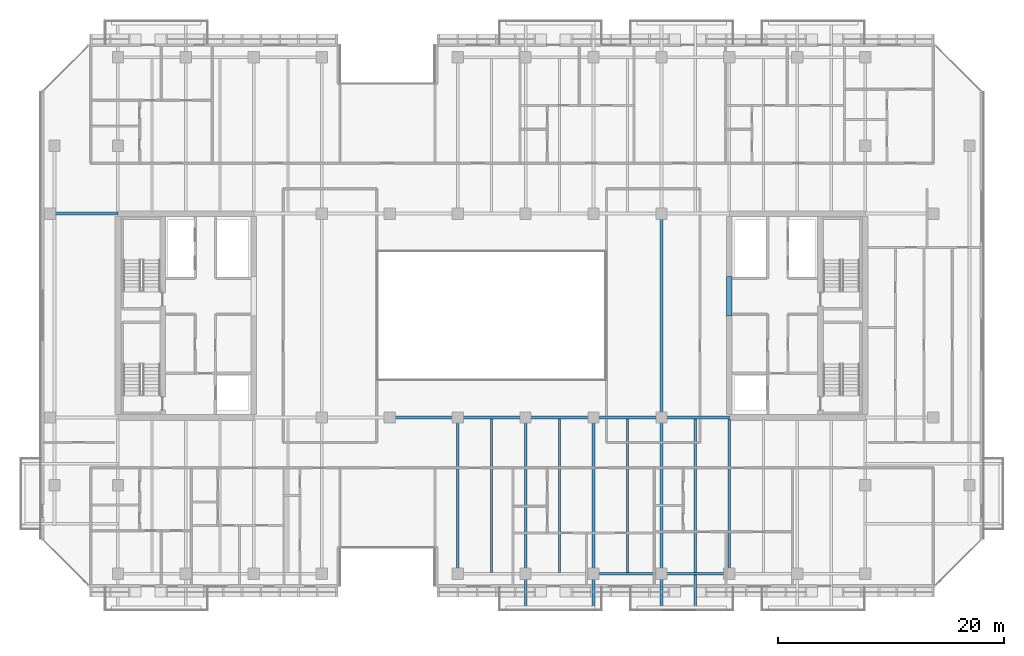
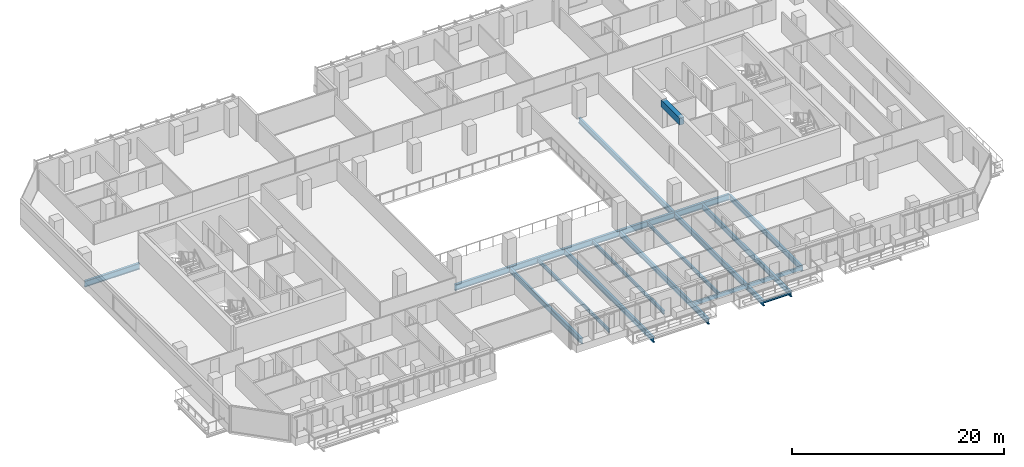
# One storey, part 7 of 33: 20 beams.
"""IFC4 building model written with IfcOpenShell, lengths in metres."""

import ifcopenshell
import ifcopenshell.guid

model = None  # the IFC model being written
_history = None  # IfcOwnerHistory: only IFC2X3 demands one
_inside = {}  # id of a spatial element -> (the spatial element, [elements in it])
_under = {}  # id of a project, library or spatial element -> (it, [spatial elements below it])
_declared = {}  # id of a project -> (the project, [libraries it declares])
_typed = {}  # id of a type object -> (the type object, [elements of that type])
_made_of = {}  # id of a material, layer set ... -> (it, [elements and type objects made of it])


def new_model(schema):
    """Start an empty IFC model of exactly this schema.

    Asked for "IFC4X3", IfcOpenShell would pick the latest addendum, in which some entities
    have other attributes; the version numbers below select the first issue.
    IFC2X3 requires an IfcOwnerHistory on every rooted entity: one is made here for all.
    """
    global model, _history
    if schema == "IFC4X3":
        model = ifcopenshell.file(schema_version=(4, 3, 0, 0))
    else:
        model = ifcopenshell.file(schema=schema)
    _inside.clear()
    _under.clear()
    _declared.clear()
    _typed.clear()
    _made_of.clear()
    _history = None
    if model.schema == "IFC2X3":
        org = make("IfcOrganization", Name="unknown")
        user = make(
            "IfcPersonAndOrganization",
            ThePerson=make("IfcPerson", FamilyName="unknown"),
            TheOrganization=org,
        )
        app = make(
            "IfcApplication",
            ApplicationDeveloper=org,
            Version="unknown",
            ApplicationFullName="unknown",
            ApplicationIdentifier="unknown",
        )
        _history = make(
            "IfcOwnerHistory",
            OwningUser=user,
            OwningApplication=app,
            ChangeAction="ADDED",
            CreationDate=0,
        )
    return model


def make(cls, **values):
    """One entity of the class cls with the attributes given. An attribute that is None is left unset."""
    return model.create_entity(
        cls, **{name: value for name, value in values.items() if value is not None}
    )


def rooted(cls, **values):
    """An entity with a GlobalId (a new one), such as an element, a storey or a relation."""
    return make(cls, GlobalId=ifcopenshell.guid.new(), OwnerHistory=_history, **values)


def si_unit(unit_type, name, prefix=None):
    """IfcSIUnit, for example si_unit("LENGTHUNIT", "METRE", prefix="MILLI")."""
    return make("IfcSIUnit", UnitType=unit_type, Prefix=prefix, Name=name)


def assignment(units):
    """IfcUnitAssignment: the units of a project."""
    return None if units is None else make("IfcUnitAssignment", Units=units)


def point(xyz):
    """IfcCartesianPoint."""
    return None if xyz is None else make("IfcCartesianPoint", Coordinates=xyz)


def direction(xyz):
    """IfcDirection."""
    return None if xyz is None else make("IfcDirection", DirectionRatios=xyz)


def frame(location, z_axis=None, x_axis=None):
    """IfcAxis2Placement3D, a coordinate frame: its origin and axes. An axis left out is left unset."""
    return make(
        "IfcAxis2Placement3D",
        Location=point(location),
        Axis=direction(z_axis),
        RefDirection=direction(x_axis),
    )


def frame_2d(location, x_axis=None):
    """IfcAxis2Placement2D, a coordinate frame in the plane: its origin and x axis."""
    return make(
        "IfcAxis2Placement2D", Location=point(location), RefDirection=direction(x_axis)
    )


def origin():
    """The frame at (0, 0, 0) with its axes left unset."""
    return frame((0.0, 0.0, 0.0))


def origin_2d():
    """The frame at (0, 0) in the plane with its x axis left unset."""
    return frame_2d((0.0, 0.0))


def place(relative_to, where):
    """IfcLocalPlacement: puts the frame where relative to a parent placement (None: the world)."""
    return make(
        "IfcLocalPlacement", PlacementRelTo=relative_to, RelativePlacement=where
    )


def context(
    kind, dimensions, precision=None, world=None, true_north=None, identifier=None
):
    """IfcGeometricRepresentationContext, for example the 3D "Model" context."""
    return make(
        "IfcGeometricRepresentationContext",
        ContextIdentifier=identifier,
        ContextType=kind,
        CoordinateSpaceDimension=dimensions,
        Precision=precision,
        WorldCoordinateSystem=world,
        TrueNorth=true_north,
    )


def subcontext(parent, identifier, kind, view, scale=None):
    """IfcGeometricRepresentationSubContext, for example "Body" below "Model"."""
    return make(
        "IfcGeometricRepresentationSubContext",
        ContextIdentifier=identifier,
        ContextType=kind,
        ParentContext=parent,
        TargetScale=scale,
        TargetView=view,
    )


def project(units=None, contexts=None):
    """IfcProject with its units and contexts."""
    return rooted(
        "IfcProject",
        Name="project",
        RepresentationContexts=contexts,
        UnitsInContext=assignment(units),
    )


def spatial(cls, under=None, at=None, **own):
    """A site, building, storey or space (cls), placed at a placement, below another one or the project."""
    s = rooted(cls, ObjectPlacement=at, **own)
    if under is not None:
        _under.setdefault(under.id(), (under, []))[1].append(s)
    return s


def profile(cls, at=None, kind="AREA", **sizes):
    """A parametric profile (cls). Its sizes go by their IFC names, for example OverallWidth=200.0."""
    return make(cls, ProfileType=kind, Position=at, **sizes)


def rectangle(**sizes):
    """IfcRectangleProfileDef."""
    return profile("IfcRectangleProfileDef", **sizes)


def hollow_rectangle(**sizes):
    """IfcRectangleHollowProfileDef."""
    return profile("IfcRectangleHollowProfileDef", **sizes)


def i_section(**sizes):
    """IfcIShapeProfileDef."""
    return profile("IfcIShapeProfileDef", **sizes)


def extrude(swept, where, along, depth):
    """IfcExtrudedAreaSolid: the profile swept, set in the frame where, extruded along a direction by depth."""
    return make(
        "IfcExtrudedAreaSolid",
        SweptArea=swept,
        Position=where,
        ExtrudedDirection=direction(along),
        Depth=depth,
    )


def shape(context_of_items, identifier, shape_type, items):
    """IfcShapeRepresentation: the items that make up one representation, for example the "Body"."""
    return make(
        "IfcShapeRepresentation",
        ContextOfItems=context_of_items,
        RepresentationIdentifier=identifier,
        RepresentationType=shape_type,
        Items=items,
    )


def material(Name=None, Category=None):
    """IfcMaterial."""
    return make("IfcMaterial", Name=Name, Category=Category)


def material_profile(
    of_material, cross_section, Name=None, Category=None, Priority=None
):
    """IfcMaterialProfile: a cross section and its material."""
    return make(
        "IfcMaterialProfile",
        Name=Name,
        Material=of_material,
        Profile=cross_section,
        Priority=Priority,
        Category=Category,
    )


def profile_set(profiles, Name=None, composite=None):
    """IfcMaterialProfileSet."""
    return make(
        "IfcMaterialProfileSet",
        Name=Name,
        MaterialProfiles=profiles,
        CompositeProfile=composite,
    )


def made_of(thing, what):
    """Note that an element or type object is made of a material, layer set ...; save() writes the relation."""
    if what is not None:
        _made_of.setdefault(what.id(), (what, []))[1].append(thing)
    return thing


def type_object(cls, material=None, **own):
    """A type object (cls), such as IfcWallType, which elements share."""
    return made_of(rooted(cls, **own), material)


def element(
    cls,
    number,
    at=None,
    inside=None,
    cuts=None,
    type_object=None,
    material=None,
    context=None,
    identifier="Body",
    shape_type=None,
    held_by="IfcProductDefinitionShape",
    body=None,
    shapes=None,
    **own,
):
    """One element of the class cls, such as IfcWall. Its Tag is "e" and its number.

    at: its placement. inside: the storey or other place that contains it. cuts: it is an
    opening in that element (IfcRelVoidsElement). A single representation is given by context,
    identifier, shape_type and body (its items); several are given by shapes. held_by: the class
    of the entity that holds the representations. save() writes the other relations.
    """
    e = rooted(cls, Tag="e%d" % number, ObjectPlacement=at, **own)
    if body is not None:
        shapes = [shape(context, identifier, shape_type, body)]
    if shapes is not None:
        e.Representation = make(held_by, Representations=shapes)
    if inside is not None:
        _inside.setdefault(inside.id(), (inside, []))[1].append(e)
    if cuts is not None:
        rooted(
            "IfcRelVoidsElement", RelatingBuildingElement=cuts, RelatedOpeningElement=e
        )
    if type_object is not None:
        _typed.setdefault(type_object.id(), (type_object, []))[1].append(e)
    return made_of(e, material)


def aggregate(whole, parts):
    """IfcRelAggregates: a whole, such as a stair, and the parts it consists of."""
    return rooted("IfcRelAggregates", RelatingObject=whole, RelatedObjects=parts)


def save(model, path):
    """Write the relations noted so far, then the file.

    IfcRelAggregates (storeys below a building ...), IfcRelContainedInSpatialStructure (elements
    in a storey), IfcRelDefinesByType, IfcRelAssociatesMaterial and IfcRelDeclares: one each for
    every whole, place, type object, material and project.
    """
    for whole, parts in _under.values():
        aggregate(whole, parts)
    for where, things in _inside.values():
        rooted(
            "IfcRelContainedInSpatialStructure",
            RelatedElements=things,
            RelatingStructure=where,
        )
    for kind, things in _typed.values():
        rooted("IfcRelDefinesByType", RelatedObjects=things, RelatingType=kind)
    for what, things in _made_of.values():
        rooted("IfcRelAssociatesMaterial", RelatedObjects=things, RelatingMaterial=what)
    for by, libraries in _declared.values():
        rooted("IfcRelDeclares", RelatingContext=by, RelatedDefinitions=libraries)
    model.write(path)


model = new_model("IFC4")

# Units and contexts
model_context = context("Model", 3, precision=1e-05, world=origin(), true_north=direction((0.0, 1.0)))
body_context = subcontext(model_context, "Body", "Model", "MODEL_VIEW")
ifc_project = project(units=[si_unit("LENGTHUNIT", "METRE"), si_unit("AREAUNIT", "SQUARE_METRE"), si_unit("VOLUMEUNIT", "CUBIC_METRE"), si_unit("PLANEANGLEUNIT", "RADIAN"), si_unit("MASSUNIT", "GRAM", prefix="KILO")], contexts=[model_context])

# Site, building, storey
site_placement = place(None, origin())
site = spatial("IfcSite", under=ifc_project, at=site_placement, CompositionType="ELEMENT")
building_placement = place(site_placement, origin())
building = spatial("IfcBuilding", under=site, at=building_placement, Name="Tanjung Sevakor Pilgrim Tower", CompositionType="ELEMENT")
storey_placement = place(building_placement, frame((0.0, 0.0, 95.3701171875)))
storey = spatial("IfcBuildingStorey", under=building, at=storey_placement, Name="L26", CompositionType="ELEMENT", Elevation=95.3701171875)

# Beams
ifc_material_1 = material(Name="Steel S355J2", Category="steel")
ifc_material_profile_1 = material_profile(ifc_material_1, i_section(OverallWidth=0.25439453125, OverallDepth=0.6875, WebThickness=0.01318359375, FlangeThickness=0.02099609375, FilletRadius=0.01513671875, at=origin_2d()))
ifc_profile_set_1 = profile_set([ifc_material_profile_1], Name="Steel S355J2")
beam_type_1 = type_object("IfcBeamType", Name="BM-B-G2-UB_686x254x152", PredefinedType="BEAM", material=ifc_profile_set_1)
for number, where, z_axis, x_axis, name in (
    (1, (48.0, 24.60009765625, -0.563720703125), (1.0, 0.0, 0.0), (0.0, 1.0, 0.0), "L26 Primary Floor Girder MAIN Y246-04"),
    (2, (54.0, 24.60009765625, -0.563720703125), (1.0, 0.0, 0.0), (0.0, 1.0, 0.0), "L26 Primary Floor Girder MAIN Y246-05"),
    (3, (60.0, 24.60009765625, -0.563720703125), (1.0, 0.0, 0.0), (0.0, 1.0, 0.0), "L26 Primary Floor Girder MAIN Y246-06"),
    (4, (66.0, 24.60009765625, -0.563720703125), (1.0, 0.0, 0.0), (0.0, 1.0, 0.0), "L26 Primary Floor Girder MAIN Y246-07"),
    (5, (72.0, 24.60009765625, -0.563720703125), (1.0, 0.0, 0.0), (0.0, 1.0, 0.0), "L26 Primary Floor Girder MAIN Y246-08"),
    (6, (18.0, 42.60009765625, -0.563720703125), (1.0, 0.0, 0.0), (0.0, 1.0, 0.0), "L26 Primary Floor Girder MAIN Y426-01"),
):
    element("IfcBeam", number, at=place(storey_placement, frame(where, z_axis=z_axis, x_axis=x_axis)), inside=storey, type_object=beam_type_1, Name=name, PredefinedType="BEAM", context=body_context, shape_type="SweptSolid", body=[
        extrude(i_section(OverallWidth=0.25439453125, OverallDepth=0.6875, WebThickness=0.01318359375, FlangeThickness=0.02099609375, FilletRadius=0.01513671875, at=origin_2d()), origin(), (0.0, 0.0, 1.0), 6.0),
    ])
ifc_material_2 = material(Name="Steel S355J2", Category="steel")
ifc_material_profile_2 = material_profile(ifc_material_2, i_section(OverallWidth=0.230224609375, OverallDepth=0.6171875, WebThickness=0.01318359375, FlangeThickness=0.022216796875, FilletRadius=0.0126953125, at=origin_2d()))
ifc_profile_set_2 = profile_set([ifc_material_profile_2], Name="Steel S355J2")
beam_type_2 = type_object("IfcBeamType", Name="BM-B-G3-UB_610x229x140", PredefinedType="BEAM", material=ifc_profile_set_2)
beam_1_placement = place(storey_placement, frame((54.0, 10.800048828125, -0.52880859375), z_axis=(0.0, 1.0, 0.0), x_axis=(-1.0, 0.0, 0.0)))
element("IfcBeam", 7, at=beam_1_placement, inside=storey, type_object=beam_type_2, Name="L26 MAIN Girder 012", PredefinedType="BEAM", context=body_context, shape_type="SweptSolid", body=[
    extrude(i_section(OverallWidth=0.230224609375, OverallDepth=0.6171875, WebThickness=0.01318359375, FlangeThickness=0.022216796875, FilletRadius=0.0126953125, at=origin_2d()), origin(), (0.0, 0.0, 1.0), 13.800048828125),
])
for number, where, z_axis, x_axis, name in (
    (8, (60.0, 24.60009765625, -0.52880859375), (0.0, -1.0, 0.0), (1.0, 0.0, 0.0), "L26 Balcony Cantilever Beam MAIN-S2-1"),
    (9, (66.0, 24.60009765625, -0.52880859375), (0.0, -1.0, 0.0), (1.0, 0.0, 0.0), "L26 Balcony Cantilever Beam MAIN-S2-2"),
    (10, (72.0, 24.60009765625, -0.52880859375), (0.0, -1.0, 0.0), (1.0, 0.0, 0.0), "L26 Balcony Cantilever Beam MAIN-S3-1"),
):
    element("IfcBeam", number, at=place(storey_placement, frame(where, z_axis=z_axis, x_axis=x_axis)), inside=storey, type_object=beam_type_2, Name=name, PredefinedType="BEAM", context=body_context, shape_type="SweptSolid", body=[
        extrude(i_section(OverallWidth=0.230224609375, OverallDepth=0.6171875, WebThickness=0.01318359375, FlangeThickness=0.022216796875, FilletRadius=0.0126953125, at=origin_2d()), origin(), (0.0, 0.0, 1.0), 16.97998046875),
    ])
beam_2_placement = place(storey_placement, frame((72.0, 24.60009765625, -0.52880859375), z_axis=(0.0, 1.0, 0.0), x_axis=(-1.0, 0.0, 0.0)))
element("IfcBeam", 11, at=beam_2_placement, inside=storey, type_object=beam_type_2, Name="L26 MAIN Girder 020", PredefinedType="BEAM", context=body_context, shape_type="SweptSolid", body=[
    extrude(i_section(OverallWidth=0.230224609375, OverallDepth=0.6171875, WebThickness=0.01318359375, FlangeThickness=0.022216796875, FilletRadius=0.0126953125, at=origin_2d()), origin(), (0.0, 0.0, 1.0), 18.0),
])
beam_3_placement = place(storey_placement, frame((78.0, 10.800048828125, -0.52880859375), z_axis=(0.0, 1.0, 0.0), x_axis=(-1.0, 0.0, 0.0)))
element("IfcBeam", 12, at=beam_3_placement, inside=storey, type_object=beam_type_2, Name="L26 MAIN Girder 021", PredefinedType="BEAM", context=body_context, shape_type="SweptSolid", body=[
    extrude(i_section(OverallWidth=0.230224609375, OverallDepth=0.6171875, WebThickness=0.01318359375, FlangeThickness=0.022216796875, FilletRadius=0.0126953125, at=origin_2d()), origin(), (0.0, 0.0, 1.0), 13.672607421875),
])
ifc_material_3 = material(Name="Steel S355J2", Category="steel")
ifc_material_profile_3 = material_profile(ifc_material_3, i_section(OverallWidth=0.22900390625, OverallDepth=0.6123046875, WebThickness=0.011962890625, FlangeThickness=0.01953125, FilletRadius=0.0126953125, at=origin_2d()))
ifc_profile_set_3 = profile_set([ifc_material_profile_3], Name="Steel S355J2")
beam_type_3 = type_object("IfcBeamType", Name="BM-B-G4-UB_610x229x125", PredefinedType="BEAM", material=ifc_profile_set_3)
beam_4_placement = place(storey_placement, frame((75.0, 24.47265625, -0.526123046875), z_axis=(0.0, -1.0, 0.0), x_axis=(1.0, 0.0, 0.0)))
element("IfcBeam", 13, at=beam_4_placement, inside=storey, type_object=beam_type_3, Name="L26 Balcony Cantilever Beam MAIN-S3-2", PredefinedType="BEAM", context=body_context, shape_type="SweptSolid", body=[
    extrude(i_section(OverallWidth=0.22900390625, OverallDepth=0.6123046875, WebThickness=0.011962890625, FlangeThickness=0.01953125, FilletRadius=0.0126953125, at=origin_2d()), origin(), (0.0, 0.0, 1.0), 16.8525390625),
])
ifc_material_4 = material(Name="Steel S355J2", Category="steel")
ifc_material_profile_4 = material_profile(ifc_material_4, i_section(OverallWidth=0.1787109375, OverallDepth=0.409423828125, WebThickness=0.0087890625, FlangeThickness=0.014404296875, FilletRadius=0.01025390625, at=origin_2d()))
ifc_profile_set_4 = profile_set([ifc_material_profile_4], Name="Steel S355J2")
beam_type_4 = type_object("IfcBeamType", Name="BM-B-J3-UB_406x178x67", PredefinedType="JOIST", material=ifc_profile_set_4)
for number, where, z_axis, x_axis, name in (
    (14, (57.0, 10.89990234375, -0.4248046875), (0.0, 1.0, 0.0), (-1.0, 0.0, 0.0), "L26 MAIN Joist 014"),
    (15, (63.0, 10.89990234375, -0.4248046875), (0.0, 1.0, 0.0), (-1.0, 0.0, 0.0), "L26 MAIN Joist 016"),
    (16, (69.0, 10.89990234375, -0.4248046875), (0.0, 1.0, 0.0), (-1.0, 0.0, 0.0), "L26 MAIN Joist 018"),
):
    element("IfcBeam", number, at=place(storey_placement, frame(where, z_axis=z_axis, x_axis=x_axis)), inside=storey, type_object=beam_type_4, Name=name, PredefinedType="JOIST", context=body_context, shape_type="SweptSolid", body=[
        extrude(i_section(OverallWidth=0.1787109375, OverallDepth=0.409423828125, WebThickness=0.0087890625, FlangeThickness=0.014404296875, FilletRadius=0.01025390625, at=origin_2d()), origin(), (0.0, 0.0, 1.0), 13.57275390625),
    ])
ifc_material_5 = material(Name="Steel S355J2", Category="steel")
ifc_material_profile_5 = material_profile(ifc_material_5, i_section(OverallWidth=0.146484375, OverallDepth=0.256103515625, WebThickness=0.00634765625, FlangeThickness=0.010986328125, FilletRadius=0.007568359375, at=origin_2d()))
ifc_profile_set_5 = profile_set([ifc_material_profile_5], Name="Steel S355J2")
beam_type_5 = type_object("IfcBeamType", Name="BM-B-J6-UB_254x146x37", PredefinedType="JOIST", material=ifc_profile_set_5)
beam_5_placement = place(storey_placement, frame((72.0, 7.6201171875, -0.328125), z_axis=(1.0, 0.0, 0.0), x_axis=(0.0, 1.0, 0.0)))
element("IfcBeam", 17, at=beam_5_placement, inside=storey, type_object=beam_type_5, Name="L26 Balcony Rim Tie MAIN-S3", PredefinedType="JOIST", context=body_context, shape_type="SweptSolid", body=[
    extrude(i_section(OverallWidth=0.146484375, OverallDepth=0.256103515625, WebThickness=0.00634765625, FlangeThickness=0.010986328125, FilletRadius=0.007568359375, at=origin_2d()), origin(), (0.0, 0.0, 1.0), 3.0),
])
ifc_material_6 = material(Name="Concrete C60/75", Category="concrete")
ifc_material_profile_6 = material_profile(ifc_material_6, rectangle(XDim=0.5, YDim=0.800048828125, at=origin_2d()))
ifc_profile_set_6 = profile_set([ifc_material_profile_6], Name="Concrete C60/75")
beam_type_6 = type_object("IfcBeamType", Name="BM-B-LN2-RC-BM_500x800", PredefinedType="LINTEL", material=ifc_profile_set_6)
beam_6_placement = place(storey_placement, frame((78.0, 33.550048828125, 2.679931640625), z_axis=(0.0, 1.0, 0.0), x_axis=(-1.0, 0.0, 0.0)))
element("IfcBeam", 18, at=beam_6_placement, inside=storey, type_object=beam_type_6, Name="L26 E Core Coupling Lintel", PredefinedType="LINTEL", context=body_context, shape_type="SweptSolid", body=[
    extrude(rectangle(XDim=0.5, YDim=0.800048828125, at=origin_2d()), origin(), (0.0, 0.0, 1.0), 3.5),
])
ifc_material_7 = material(Name="Steel S355J2", Category="steel")
ifc_material_profile_7 = material_profile(ifc_material_7, hollow_rectangle(XDim=0.199951171875, YDim=0.39990234375, WallThickness=0.01611328125, at=origin_2d()))
ifc_profile_set_7 = profile_set([ifc_material_profile_7], Name="Steel S355J2")
beam_type_7 = type_object("IfcBeamType", Name="BM-B-SP2-RHS_400x200x16", PredefinedType="SPANDREL", material=ifc_profile_set_7)
for number, where, z_axis, x_axis, name in (
    (19, (66.0, 10.800048828125, -0.420166015625), (1.0, 0.0, 0.0), (0.0, 1.0, 0.0), "L26 Spandrel MAIN S-11"),
    (20, (72.0, 10.800048828125, -0.420166015625), (1.0, 0.0, 0.0), (0.0, 1.0, 0.0), "L26 Spandrel MAIN S-13"),
):
    element("IfcBeam", number, at=place(storey_placement, frame(where, z_axis=z_axis, x_axis=x_axis)), inside=storey, type_object=beam_type_7, Name=name, PredefinedType="SPANDREL", context=body_context, shape_type="SweptSolid", body=[
        extrude(hollow_rectangle(XDim=0.199951171875, YDim=0.39990234375, WallThickness=0.01611328125, at=origin_2d()), origin(), (0.0, 0.0, 1.0), 6.0),
    ])

save(model, "model.ifc")
